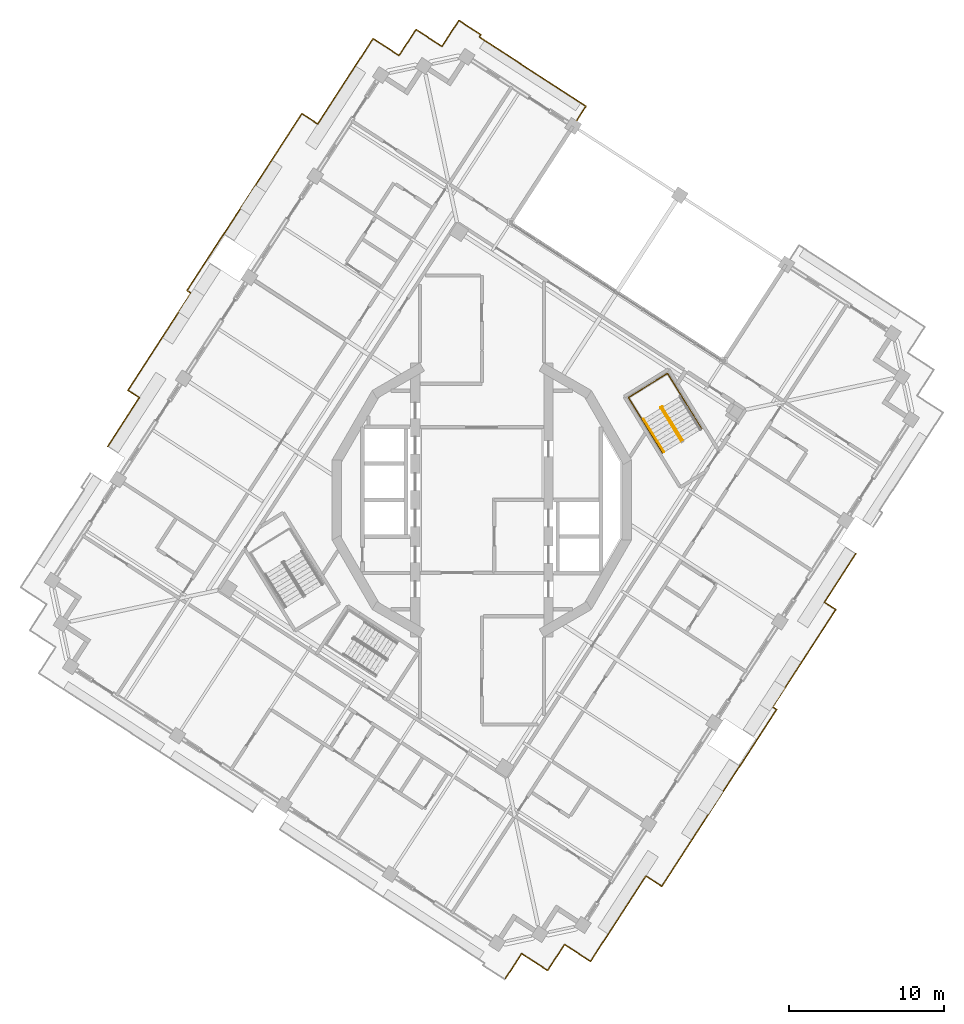
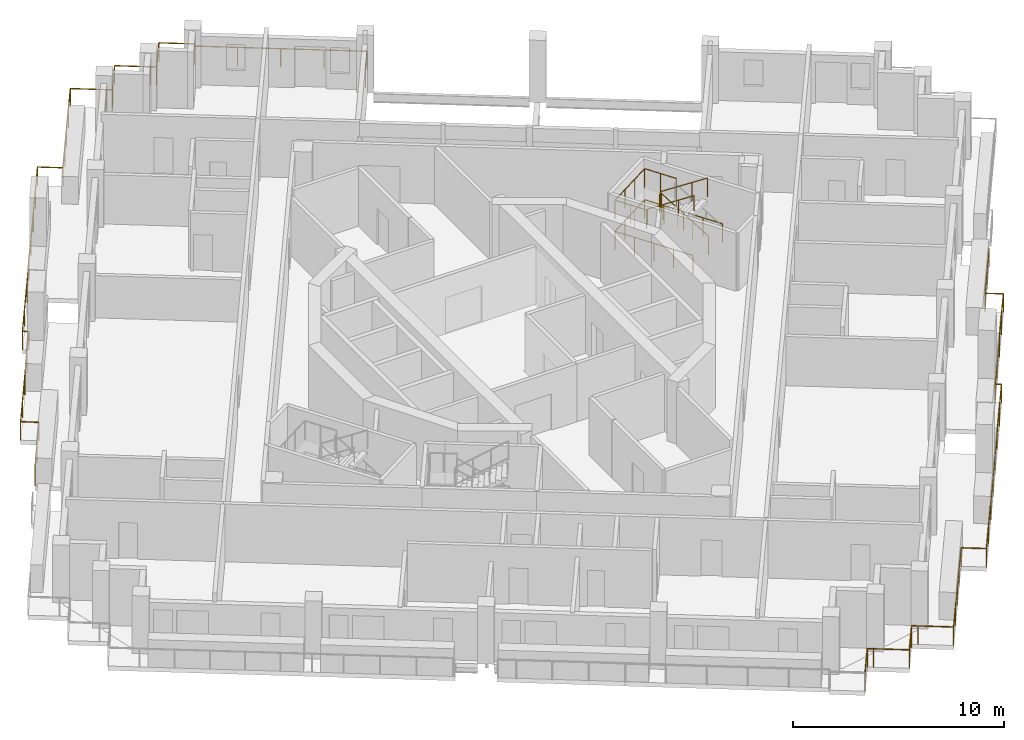
# One storey, part 15 of 17: 8 railings.
"""IFC4 building model written with IfcOpenShell, lengths in metres."""

from ifc_helpers import new_model, si_unit, direction, frame, origin, origin_2d, place, context, subcontext, project, spatial, circle, extrude, material, type_object, element, save


model = new_model("IFC4")

# Units and contexts
model_context = context("Model", 3, precision=1e-05, world=origin(), true_north=direction((0.0, 1.0)))
body_context = subcontext(model_context, "Body", "Model", "MODEL_VIEW")
ifc_project = project(units=[si_unit("LENGTHUNIT", "METRE"), si_unit("AREAUNIT", "SQUARE_METRE"), si_unit("VOLUMEUNIT", "CUBIC_METRE"), si_unit("PLANEANGLEUNIT", "RADIAN"), si_unit("MASSUNIT", "GRAM", prefix="KILO")], contexts=[model_context])

# Site, building, storey
site_placement = place(None, origin())
site = spatial("IfcSite", under=ifc_project, at=site_placement, CompositionType="ELEMENT")
building_placement = place(site_placement, origin())
building = spatial("IfcBuilding", under=site, at=building_placement, Name="Cantera Rosa Tower", CompositionType="ELEMENT")
storey_placement = place(building_placement, frame((0.0, 0.0, 279.300048828125)))
storey = spatial("IfcBuildingStorey", under=building, at=storey_placement, Name="L63", CompositionType="ELEMENT", Elevation=279.300048828125)

# Railings
ifc_material_1 = material(Name="Stainless steel and laminated glass", Category="steel")
railing_type_1 = type_object("IfcRailingType", Name="GUARD 1100", PredefinedType="BALUSTRADE", material=ifc_material_1)
railing_1_placement = place(storey_placement, frame((-5.58984375, 28.8486328125, 0.0)))
element("IfcRailing", 1, at=railing_1_placement, inside=storey, type_object=railing_type_1, Name="GUARD L63-3", PredefinedType="BALUSTRADE", context=body_context, shape_type="SweptSolid", body=[
    extrude(circle(Radius=0.030029296875, at=origin_2d()), frame((0.0, 0.0, 1.070068359375), z_axis=(0.838499355694, -0.544902588084, 0.0), x_axis=(0.544902588084, 0.838499355694, 0.0)), (0.0, 0.0, 1.0), 0.30029296875),
    extrude(circle(Radius=0.030029296875, at=origin_2d()), frame((0.251708984375, -0.16357421875, 1.070068359375), z_axis=(0.5443304008, 0.838870916629, 0.0), x_axis=(-0.838870916629, 0.5443304008, 0.0)), (0.0, 0.0, 1.0), 0.300048828125),
    extrude(circle(Radius=0.030029296875, at=origin_2d()), frame((0.4150390625, 0.088134765625, 1.070068359375), z_axis=(0.544685462014, 0.838640416073, 0.0), x_axis=(-0.838640416073, 0.544685462014, 0.0)), (0.0, 0.0, 1.0), 1.7001953125),
    extrude(circle(Radius=0.030029296875, at=origin_2d()), frame((1.341064453125, 1.513916015625, 1.070068359375), z_axis=(0.83859780397, -0.544751065329, 0.0), x_axis=(0.544751065329, 0.83859780397, 0.0)), (0.0, 0.0, 1.0), 1.699951171875),
    extrude(circle(Radius=0.030029296875, at=origin_2d()), frame((2.7666015625, 0.587890625, 1.070068359375), z_axis=(0.838870916629, -0.5443304008, 0.0), x_axis=(0.5443304008, 0.838870916629, 0.0)), (0.0, 0.0, 1.0), 0.300048828125),
    extrude(circle(Radius=0.030029296875, at=origin_2d()), frame((3.018310546875, 0.424560546875, 1.070068359375), z_axis=(0.54468796124, 0.838638792855, 0.0), x_axis=(-0.838638792855, 0.54468796124, 0.0)), (0.0, 0.0, 1.0), 2.0),
    extrude(circle(Radius=0.030029296875, at=origin_2d()), frame((4.107666015625, 2.101806640625, 1.070068359375), z_axis=(0.838663412569, -0.54465005317, 0.0), x_axis=(0.54465005317, 0.838663412569, 0.0)), (0.0, 0.0, 1.0), 1.69970703125),
    extrude(circle(Radius=0.030029296875, at=origin_2d()), frame((5.533203125, 1.176025390625, 1.070068359375), z_axis=(-0.544370967285, -0.838844592268, 0.0), x_axis=(0.838844592268, -0.544370967285, 0.0)), (0.0, 0.0, 1.0), 0.1806640625),
    extrude(circle(Radius=0.030029296875, at=origin_2d()), frame((5.434814453125, 1.0244140625, 1.070068359375), z_axis=(0.838672777751, -0.544635632198, 0.0), x_axis=(0.544635632198, 0.838672777751, 0.0)), (0.0, 0.0, 1.0), 8.2001953125),
    extrude(circle(Radius=0.030029296875, at=origin_2d()), frame((12.31201171875, -3.441650390625, 1.070068359375), z_axis=(-0.544702131331, -0.838629589344, 0.0), x_axis=(0.838629589344, -0.544702131331, 0.0)), (0.0, 0.0, 1.0), 1.499267578125),
    extrude(circle(Radius=0.02490234375, at=origin_2d()), origin(), (0.0, 0.0, 1.0), 1.0400390625),
    extrude(circle(Radius=0.02490234375, at=origin_2d()), frame((0.251708984375, -0.16357421875, 0.0)), (0.0, 0.0, 1.0), 1.0400390625),
    extrude(circle(Radius=0.02490234375, at=origin_2d()), frame((0.4150390625, 0.088134765625, 0.0)), (0.0, 0.0, 1.0), 1.0400390625),
    extrude(circle(Radius=0.02490234375, at=origin_2d()), frame((1.341064453125, 1.513916015625, 0.0)), (0.0, 0.0, 1.0), 1.0400390625),
    extrude(circle(Radius=0.02490234375, at=origin_2d()), frame((2.7666015625, 0.587890625, 0.0)), (0.0, 0.0, 1.0), 1.0400390625),
    extrude(circle(Radius=0.02490234375, at=origin_2d()), frame((3.018310546875, 0.424560546875, 0.0)), (0.0, 0.0, 1.0), 1.0400390625),
    extrude(circle(Radius=0.02490234375, at=origin_2d()), frame((4.107666015625, 2.101806640625, 0.0)), (0.0, 0.0, 1.0), 1.0400390625),
    extrude(circle(Radius=0.02490234375, at=origin_2d()), frame((5.533203125, 1.176025390625, 0.0)), (0.0, 0.0, 1.0), 1.0400390625),
    extrude(circle(Radius=0.02490234375, at=origin_2d()), frame((5.434814453125, 1.0244140625, 0.0)), (0.0, 0.0, 1.0), 1.0400390625),
    extrude(circle(Radius=0.02490234375, at=origin_2d()), frame((7.154052734375, -0.092041015625, 0.0)), (0.0, 0.0, 1.0), 1.0400390625),
    extrude(circle(Radius=0.02490234375, at=origin_2d()), frame((8.87353515625, -1.20849609375, 0.0)), (0.0, 0.0, 1.0), 1.0400390625),
    extrude(circle(Radius=0.02490234375, at=origin_2d()), frame((10.5927734375, -2.3251953125, 0.0)), (0.0, 0.0, 1.0), 1.0400390625),
    extrude(circle(Radius=0.02490234375, at=origin_2d()), frame((12.31201171875, -3.441650390625, 0.0)), (0.0, 0.0, 1.0), 1.0400390625),
    extrude(circle(Radius=0.02490234375, at=origin_2d()), frame((11.495361328125, -4.698974609375, 0.0)), (0.0, 0.0, 1.0), 1.0400390625),
])
railing_2_placement = place(storey_placement, frame((-24.13916015625, 3.46630859375, 0.0)))
element("IfcRailing", 2, at=railing_2_placement, inside=storey, type_object=railing_type_1, Name="GUARD L63-4", PredefinedType="BALUSTRADE", context=body_context, shape_type="SweptSolid", body=[
    extrude(circle(Radius=0.030029296875, at=origin_2d()), frame((0.0, 0.0, 1.070068359375), z_axis=(0.544602458439, 0.838694319918, 0.0), x_axis=(-0.838694319918, 0.544602458439, 0.0)), (0.0, 0.0, 1.0), 3.736572265625),
    extrude(circle(Radius=0.030029296875, at=origin_2d()), frame((2.034912109375, 3.1337890625, 1.070068359375), z_axis=(-0.838601924896, 0.544744721462, 0.0), x_axis=(-0.544744721462, -0.838601924896, 0.0)), (0.0, 0.0, 1.0), 0.880615234375),
    extrude(circle(Radius=0.030029296875, at=origin_2d()), frame((1.29638671875, 3.613525390625, 1.070068359375), z_axis=(0.544661219355, 0.83865616085, 0.0), x_axis=(-0.83865616085, 0.544661219355, 0.0)), (0.0, 0.0, 1.0), 7.47705078125),
    extrude(circle(Radius=0.030029296875, at=origin_2d()), frame((5.368896484375, 9.88427734375, 1.070068359375), z_axis=(-0.838682823778, 0.544620162223, 0.0), x_axis=(-0.544620162223, -0.838682823778, 0.0)), (0.0, 0.0, 1.0), 0.302978515625),
    extrude(circle(Radius=0.030029296875, at=origin_2d()), frame((5.11474609375, 10.04931640625, 1.070068359375), z_axis=(0.544652300015, 0.838661953405, 0.0), x_axis=(-0.838661953405, 0.544652300015, 0.0)), (0.0, 0.0, 1.0), 13.612548828125),
    extrude(circle(Radius=0.030029296875, at=origin_2d()), frame((12.52880859375, 21.465576171875, 1.070068359375), z_axis=(0.838691191223, -0.544607276636, 0.0), x_axis=(0.544607276636, 0.838691191223, 0.0)), (0.0, 0.0, 1.0), 1.21630859375),
    extrude(circle(Radius=0.030029296875, at=origin_2d()), frame((13.548828125, 20.80322265625, 1.070068359375), z_axis=(0.54462837007, 0.838677493745, 0.0), x_axis=(-0.838677493745, 0.54462837007, 0.0)), (0.0, 0.0, 1.0), 4.86376953125),
    extrude(circle(Radius=0.030029296875, at=origin_2d()), frame((16.19775390625, 24.88232421875, 1.070068359375), z_axis=(0.544584451758, 0.838706012202, 0.0), x_axis=(-0.838706012202, 0.544584451758, 0.0)), (0.0, 0.0, 1.0), 1.699951171875),
    extrude(circle(Radius=0.030029296875, at=origin_2d()), frame((17.12353515625, 26.30810546875, 1.070068359375), z_axis=(0.838706012202, -0.544584451758, 0.0), x_axis=(0.544584451758, 0.838706012202, 0.0)), (0.0, 0.0, 1.0), 1.699951171875),
    extrude(circle(Radius=0.02490234375, at=origin_2d()), origin(), (0.0, 0.0, 1.0), 1.0400390625),
    extrude(circle(Radius=0.02490234375, at=origin_2d()), frame((1.017578125, 1.56689453125, 0.0)), (0.0, 0.0, 1.0), 1.0400390625),
    extrude(circle(Radius=0.02490234375, at=origin_2d()), frame((2.034912109375, 3.1337890625, 0.0)), (0.0, 0.0, 1.0), 1.0400390625),
    extrude(circle(Radius=0.02490234375, at=origin_2d()), frame((1.29638671875, 3.613525390625, 0.0)), (0.0, 0.0, 1.0), 1.0400390625),
    extrude(circle(Radius=0.02490234375, at=origin_2d()), frame((2.314453125, 5.18115234375, 0.0)), (0.0, 0.0, 1.0), 1.0400390625),
    extrude(circle(Radius=0.02490234375, at=origin_2d()), frame((3.33251953125, 6.7490234375, 0.0)), (0.0, 0.0, 1.0), 1.0400390625),
    extrude(circle(Radius=0.02490234375, at=origin_2d()), frame((4.350830078125, 8.316650390625, 0.0)), (0.0, 0.0, 1.0), 1.0400390625),
    extrude(circle(Radius=0.02490234375, at=origin_2d()), frame((5.368896484375, 9.88427734375, 0.0)), (0.0, 0.0, 1.0), 1.0400390625),
    extrude(circle(Radius=0.02490234375, at=origin_2d()), frame((5.11474609375, 10.04931640625, 0.0)), (0.0, 0.0, 1.0), 1.0400390625),
    extrude(circle(Radius=0.02490234375, at=origin_2d()), frame((6.173828125, 11.68017578125, 0.0)), (0.0, 0.0, 1.0), 1.0400390625),
    extrude(circle(Radius=0.02490234375, at=origin_2d()), frame((7.233154296875, 13.31103515625, 0.0)), (0.0, 0.0, 1.0), 1.0400390625),
    extrude(circle(Radius=0.02490234375, at=origin_2d()), frame((8.292236328125, 14.94189453125, 0.0)), (0.0, 0.0, 1.0), 1.0400390625),
    extrude(circle(Radius=0.02490234375, at=origin_2d()), frame((9.351318359375, 16.572998046875, 0.0)), (0.0, 0.0, 1.0), 1.0400390625),
    extrude(circle(Radius=0.02490234375, at=origin_2d()), frame((10.410400390625, 18.203857421875, 0.0)), (0.0, 0.0, 1.0), 1.0400390625),
    extrude(circle(Radius=0.02490234375, at=origin_2d()), frame((11.4697265625, 19.834716796875, 0.0)), (0.0, 0.0, 1.0), 1.0400390625),
    extrude(circle(Radius=0.02490234375, at=origin_2d()), frame((12.52880859375, 21.465576171875, 0.0)), (0.0, 0.0, 1.0), 1.0400390625),
    extrude(circle(Radius=0.02490234375, at=origin_2d()), frame((13.548828125, 20.80322265625, 0.0)), (0.0, 0.0, 1.0), 1.0400390625),
    extrude(circle(Radius=0.02490234375, at=origin_2d()), frame((14.431884765625, 22.162841796875, 0.0)), (0.0, 0.0, 1.0), 1.0400390625),
    extrude(circle(Radius=0.02490234375, at=origin_2d()), frame((15.314697265625, 23.522705078125, 0.0)), (0.0, 0.0, 1.0), 1.0400390625),
    extrude(circle(Radius=0.02490234375, at=origin_2d()), frame((16.19775390625, 24.88232421875, 0.0)), (0.0, 0.0, 1.0), 1.0400390625),
    extrude(circle(Radius=0.02490234375, at=origin_2d()), frame((17.12353515625, 26.30810546875, 0.0)), (0.0, 0.0, 1.0), 1.0400390625),
    extrude(circle(Radius=0.02490234375, at=origin_2d()), frame((18.54931640625, 25.38232421875, 0.0)), (0.0, 0.0, 1.0), 1.0400390625),
])
railing_3_placement = place(storey_placement, frame((24.13916015625, -3.46630859375, 0.0)))
element("IfcRailing", 3, at=railing_3_placement, inside=storey, type_object=railing_type_1, Name="GUARD L63-6", PredefinedType="BALUSTRADE", context=body_context, shape_type="SweptSolid", body=[
    extrude(circle(Radius=0.030029296875, at=origin_2d()), frame((0.0, 0.0, 1.070068359375), z_axis=(-0.544602458439, -0.838694319918, 0.0), x_axis=(0.838694319918, -0.544602458439, 0.0)), (0.0, 0.0, 1.0), 3.736572265625),
    extrude(circle(Radius=0.030029296875, at=origin_2d()), frame((-2.034912109375, -3.1337890625, 1.070068359375), z_axis=(0.838601924896, -0.544744721462, 0.0), x_axis=(0.544744721462, 0.838601924896, 0.0)), (0.0, 0.0, 1.0), 0.880615234375),
    extrude(circle(Radius=0.030029296875, at=origin_2d()), frame((-1.29638671875, -3.613525390625, 1.070068359375), z_axis=(-0.544661219355, -0.83865616085, 0.0), x_axis=(0.83865616085, -0.544661219355, 0.0)), (0.0, 0.0, 1.0), 7.47705078125),
    extrude(circle(Radius=0.030029296875, at=origin_2d()), frame((-5.368896484375, -9.88427734375, 1.070068359375), z_axis=(0.838682823778, -0.544620162223, 0.0), x_axis=(0.544620162223, 0.838682823778, 0.0)), (0.0, 0.0, 1.0), 0.302978515625),
    extrude(circle(Radius=0.030029296875, at=origin_2d()), frame((-5.11474609375, -10.04931640625, 1.070068359375), z_axis=(-0.544652300015, -0.838661953405, 0.0), x_axis=(0.838661953405, -0.544652300015, 0.0)), (0.0, 0.0, 1.0), 13.612548828125),
    extrude(circle(Radius=0.030029296875, at=origin_2d()), frame((-12.52880859375, -21.465576171875, 1.070068359375), z_axis=(-0.838691191223, 0.544607276636, 0.0), x_axis=(-0.544607276636, -0.838691191223, 0.0)), (0.0, 0.0, 1.0), 1.21630859375),
    extrude(circle(Radius=0.030029296875, at=origin_2d()), frame((-13.548828125, -20.80322265625, 1.070068359375), z_axis=(-0.54462837007, -0.838677493745, 0.0), x_axis=(0.838677493745, -0.54462837007, 0.0)), (0.0, 0.0, 1.0), 4.86376953125),
    extrude(circle(Radius=0.030029296875, at=origin_2d()), frame((-16.19775390625, -24.88232421875, 1.070068359375), z_axis=(-0.544584451758, -0.838706012202, 0.0), x_axis=(0.838706012202, -0.544584451758, 0.0)), (0.0, 0.0, 1.0), 1.699951171875),
    extrude(circle(Radius=0.030029296875, at=origin_2d()), frame((-17.12353515625, -26.30810546875, 1.070068359375), z_axis=(-0.838706012202, 0.544584451758, 0.0), x_axis=(-0.544584451758, -0.838706012202, 0.0)), (0.0, 0.0, 1.0), 1.699951171875),
    extrude(circle(Radius=0.030029296875, at=origin_2d()), frame((-18.54931640625, -25.38232421875, 1.070068359375), z_axis=(-0.838499355694, 0.544902588084, 0.0), x_axis=(-0.544902588084, -0.838499355694, 0.0)), (0.0, 0.0, 1.0), 0.30029296875),
    extrude(circle(Radius=0.030029296875, at=origin_2d()), frame((-18.801025390625, -25.21875, 1.070068359375), z_axis=(-0.5443304008, -0.838870916629, 0.0), x_axis=(0.838870916629, -0.5443304008, 0.0)), (0.0, 0.0, 1.0), 0.300048828125),
    extrude(circle(Radius=0.030029296875, at=origin_2d()), frame((-18.96435546875, -25.470458984375, 1.070068359375), z_axis=(-0.544685462014, -0.838640416073, 0.0), x_axis=(0.838640416073, -0.544685462014, 0.0)), (0.0, 0.0, 1.0), 1.7001953125),
    extrude(circle(Radius=0.030029296875, at=origin_2d()), frame((-19.890380859375, -26.896240234375, 1.070068359375), z_axis=(-0.83859780397, 0.544751065329, 0.0), x_axis=(-0.544751065329, -0.83859780397, 0.0)), (0.0, 0.0, 1.0), 1.699951171875),
    extrude(circle(Radius=0.030029296875, at=origin_2d()), frame((-21.31591796875, -25.97021484375, 1.070068359375), z_axis=(-0.838870916629, 0.5443304008, 0.0), x_axis=(-0.5443304008, -0.838870916629, 0.0)), (0.0, 0.0, 1.0), 0.300048828125),
    extrude(circle(Radius=0.030029296875, at=origin_2d()), frame((-21.567626953125, -25.806884765625, 1.070068359375), z_axis=(-0.54468796124, -0.838638792855, 0.0), x_axis=(0.838638792855, -0.54468796124, 0.0)), (0.0, 0.0, 1.0), 2.0),
    extrude(circle(Radius=0.02490234375, at=origin_2d()), origin(), (0.0, 0.0, 1.0), 1.0400390625),
    extrude(circle(Radius=0.02490234375, at=origin_2d()), frame((-1.017578125, -1.56689453125, 0.0)), (0.0, 0.0, 1.0), 1.0400390625),
    extrude(circle(Radius=0.02490234375, at=origin_2d()), frame((-2.034912109375, -3.1337890625, 0.0)), (0.0, 0.0, 1.0), 1.0400390625),
    extrude(circle(Radius=0.02490234375, at=origin_2d()), frame((-1.29638671875, -3.613525390625, 0.0)), (0.0, 0.0, 1.0), 1.0400390625),
    extrude(circle(Radius=0.02490234375, at=origin_2d()), frame((-2.314453125, -5.18115234375, 0.0)), (0.0, 0.0, 1.0), 1.0400390625),
    extrude(circle(Radius=0.02490234375, at=origin_2d()), frame((-3.33251953125, -6.7490234375, 0.0)), (0.0, 0.0, 1.0), 1.0400390625),
    extrude(circle(Radius=0.02490234375, at=origin_2d()), frame((-4.350830078125, -8.316650390625, 0.0)), (0.0, 0.0, 1.0), 1.0400390625),
    extrude(circle(Radius=0.02490234375, at=origin_2d()), frame((-5.368896484375, -9.88427734375, 0.0)), (0.0, 0.0, 1.0), 1.0400390625),
    extrude(circle(Radius=0.02490234375, at=origin_2d()), frame((-5.11474609375, -10.04931640625, 0.0)), (0.0, 0.0, 1.0), 1.0400390625),
    extrude(circle(Radius=0.02490234375, at=origin_2d()), frame((-6.173828125, -11.68017578125, 0.0)), (0.0, 0.0, 1.0), 1.0400390625),
    extrude(circle(Radius=0.02490234375, at=origin_2d()), frame((-7.233154296875, -13.31103515625, 0.0)), (0.0, 0.0, 1.0), 1.0400390625),
    extrude(circle(Radius=0.02490234375, at=origin_2d()), frame((-8.292236328125, -14.94189453125, 0.0)), (0.0, 0.0, 1.0), 1.0400390625),
    extrude(circle(Radius=0.02490234375, at=origin_2d()), frame((-9.351318359375, -16.572998046875, 0.0)), (0.0, 0.0, 1.0), 1.0400390625),
    extrude(circle(Radius=0.02490234375, at=origin_2d()), frame((-10.410400390625, -18.203857421875, 0.0)), (0.0, 0.0, 1.0), 1.0400390625),
    extrude(circle(Radius=0.02490234375, at=origin_2d()), frame((-11.4697265625, -19.834716796875, 0.0)), (0.0, 0.0, 1.0), 1.0400390625),
    extrude(circle(Radius=0.02490234375, at=origin_2d()), frame((-12.52880859375, -21.465576171875, 0.0)), (0.0, 0.0, 1.0), 1.0400390625),
    extrude(circle(Radius=0.02490234375, at=origin_2d()), frame((-13.548828125, -20.80322265625, 0.0)), (0.0, 0.0, 1.0), 1.0400390625),
    extrude(circle(Radius=0.02490234375, at=origin_2d()), frame((-14.431884765625, -22.162841796875, 0.0)), (0.0, 0.0, 1.0), 1.0400390625),
    extrude(circle(Radius=0.02490234375, at=origin_2d()), frame((-15.314697265625, -23.522705078125, 0.0)), (0.0, 0.0, 1.0), 1.0400390625),
    extrude(circle(Radius=0.02490234375, at=origin_2d()), frame((-16.19775390625, -24.88232421875, 0.0)), (0.0, 0.0, 1.0), 1.0400390625),
    extrude(circle(Radius=0.02490234375, at=origin_2d()), frame((-17.12353515625, -26.30810546875, 0.0)), (0.0, 0.0, 1.0), 1.0400390625),
    extrude(circle(Radius=0.02490234375, at=origin_2d()), frame((-18.54931640625, -25.38232421875, 0.0)), (0.0, 0.0, 1.0), 1.0400390625),
    extrude(circle(Radius=0.02490234375, at=origin_2d()), frame((-18.801025390625, -25.21875, 0.0)), (0.0, 0.0, 1.0), 1.0400390625),
    extrude(circle(Radius=0.02490234375, at=origin_2d()), frame((-18.96435546875, -25.470458984375, 0.0)), (0.0, 0.0, 1.0), 1.0400390625),
    extrude(circle(Radius=0.02490234375, at=origin_2d()), frame((-19.890380859375, -26.896240234375, 0.0)), (0.0, 0.0, 1.0), 1.0400390625),
    extrude(circle(Radius=0.02490234375, at=origin_2d()), frame((-21.31591796875, -25.97021484375, 0.0)), (0.0, 0.0, 1.0), 1.0400390625),
    extrude(circle(Radius=0.02490234375, at=origin_2d()), frame((-21.567626953125, -25.806884765625, 0.0)), (0.0, 0.0, 1.0), 1.0400390625),
    extrude(circle(Radius=0.02490234375, at=origin_2d()), frame((-22.656982421875, -27.484130859375, 0.0)), (0.0, 0.0, 1.0), 1.0400390625),
])
ifc_material_2 = material(Name="Steel S355J2 (EN 10025-2)", Category="steel")
railing_type_2 = type_object("IfcRailingType", Name="STAIR GUARD 1100", PredefinedType="GUARDRAIL", material=ifc_material_2)
railing_4_placement = place(storey_placement, frame((12.9765625, 3.834228515625, 0.179931640625)))
element("IfcRailing", 4, at=railing_4_placement, inside=storey, type_object=railing_type_2, Name="L63 ST-51 stair guard 1", PredefinedType="GUARDRAIL", context=body_context, shape_type="SweptSolid", body=[
    extrude(circle(Radius=0.02392578125, at=origin_2d()), frame((0.0, 0.0, 1.076171875), z_axis=(-0.44154346381, 0.715939337315, 0.540805172729), x_axis=(-0.851145618652, -0.524929648476, 0.0)), (0.0, 0.0, 1.0), 2.995849609375),
    extrude(circle(Radius=0.02392578125, at=origin_2d()), frame((-1.32275390625, 2.144775390625, 2.6962890625), z_axis=(-0.073711968402, 0.997279572494, 0.0), x_axis=(-0.997279572494, -0.073711968402, 0.0)), (0.0, 0.0, 1.0), 0.056396484375),
    extrude(circle(Radius=0.02392578125, at=origin_2d()), frame((-1.326904296875, 2.200927734375, 2.6962890625), z_axis=(-0.851546489876, -0.524279100842, 0.0), x_axis=(0.524279100842, -0.851546489876, 0.0)), (0.0, 0.0, 1.0), 0.14990234375),
    extrude(circle(Radius=0.02099609375, at=origin_2d()), origin(), (0.0, 0.0, 1.0), 1.052001953125),
    extrude(circle(Radius=0.02099609375, at=origin_2d()), frame((-0.44091796875, 0.71484375, 0.5400390625)), (0.0, 0.0, 1.0), 1.052001953125),
    extrude(circle(Radius=0.02099609375, at=origin_2d()), frame((-0.8818359375, 1.429931640625, 1.080078125)), (0.0, 0.0, 1.0), 1.052001953125),
    extrude(circle(Radius=0.02099609375, at=origin_2d()), frame((-1.32275390625, 2.144775390625, 1.6201171875)), (0.0, 0.0, 1.0), 1.052001953125),
    extrude(circle(Radius=0.02099609375, at=origin_2d()), frame((-1.326904296875, 2.200927734375, 1.6201171875)), (0.0, 0.0, 1.0), 1.052001953125),
    extrude(circle(Radius=0.02099609375, at=origin_2d()), frame((-1.45458984375, 2.122314453125, 1.6201171875)), (0.0, 0.0, 1.0), 1.052001953125),
])
railing_5_placement = place(storey_placement, frame((11.5703125, 5.927490234375, 1.97998046875)))
element("IfcRailing", 5, at=railing_5_placement, inside=storey, type_object=railing_type_2, Name="L63 ST-51 stair guard 2", PredefinedType="GUARDRAIL", context=body_context, shape_type="SweptSolid", body=[
    extrude(circle(Radius=0.02392578125, at=origin_2d()), frame((0.0, 0.0, 1.076171875), z_axis=(0.441628529057, -0.715945124149, 0.540728047664), x_axis=(0.851102330005, 0.524999832248, 0.0)), (0.0, 0.0, 1.0), 2.99560546875),
    extrude(circle(Radius=0.02099609375, at=origin_2d()), origin(), (0.0, 0.0, 1.0), 1.052001953125),
    extrude(circle(Radius=0.02099609375, at=origin_2d()), frame((0.44091796875, -0.71484375, 0.5400390625)), (0.0, 0.0, 1.0), 1.052001953125),
    extrude(circle(Radius=0.02099609375, at=origin_2d()), frame((0.882080078125, -1.429931640625, 1.079833984375)), (0.0, 0.0, 1.0), 1.052001953125),
    extrude(circle(Radius=0.02099609375, at=origin_2d()), frame((1.322998046875, -2.144775390625, 1.619873046875)), (0.0, 0.0, 1.0), 1.052001953125),
])
railing_6_placement = place(storey_placement, frame((14.192626953125, 4.59814453125, 0.0)))
element("IfcRailing", 6, at=railing_6_placement, inside=storey, type_object=railing_type_2, Name="L63 ST-51 stair guard 4", PredefinedType="GUARDRAIL", context=body_context, shape_type="SweptSolid", body=[
    extrude(circle(Radius=0.02392578125, at=origin_2d()), frame((0.0, 0.0, 1.076171875), z_axis=(-0.524976478809, 0.851116735059, 0.0), x_axis=(-0.851116735059, -0.524976478809, 0.0)), (0.0, 0.0, 1.0), 4.197998046875),
    extrude(circle(Radius=0.02392578125, at=origin_2d()), frame((-2.203857421875, 3.572998046875, 1.076171875), z_axis=(-0.851132917336, -0.524950242429, 0.0), x_axis=(0.524950242429, -0.851132917336, 0.0)), (0.0, 0.0, 1.0), 2.969970703125),
    extrude(circle(Radius=0.02392578125, at=origin_2d()), frame((-4.731689453125, 2.013916015625, 1.076171875), z_axis=(0.524976478809, -0.851116735059, 0.0), x_axis=(0.851116735059, 0.524976478809, 0.0)), (0.0, 0.0, 1.0), 4.197998046875),
    extrude(circle(Radius=0.02099609375, at=origin_2d()), origin(), (0.0, 0.0, 1.0), 1.052001953125),
    extrude(circle(Radius=0.02099609375, at=origin_2d()), frame((-0.551025390625, 0.893310546875, 0.0)), (0.0, 0.0, 1.0), 1.052001953125),
    extrude(circle(Radius=0.02099609375, at=origin_2d()), frame((-1.10205078125, 1.78662109375, 0.0)), (0.0, 0.0, 1.0), 1.052001953125),
    extrude(circle(Radius=0.02099609375, at=origin_2d()), frame((-1.65283203125, 2.6796875, 0.0)), (0.0, 0.0, 1.0), 1.052001953125),
    extrude(circle(Radius=0.02099609375, at=origin_2d()), frame((-2.203857421875, 3.572998046875, 0.0)), (0.0, 0.0, 1.0), 1.052001953125),
    extrude(circle(Radius=0.02099609375, at=origin_2d()), frame((-3.04638671875, 3.05322265625, 0.0)), (0.0, 0.0, 1.0), 1.052001953125),
    extrude(circle(Radius=0.02099609375, at=origin_2d()), frame((-3.88916015625, 2.53369140625, 0.0)), (0.0, 0.0, 1.0), 1.052001953125),
    extrude(circle(Radius=0.02099609375, at=origin_2d()), frame((-4.731689453125, 2.013916015625, 0.0)), (0.0, 0.0, 1.0), 1.052001953125),
    extrude(circle(Radius=0.02099609375, at=origin_2d()), frame((-4.1806640625, 1.12060546875, 0.0)), (0.0, 0.0, 1.0), 1.052001953125),
    extrude(circle(Radius=0.02099609375, at=origin_2d()), frame((-3.6298828125, 0.2275390625, 0.0)), (0.0, 0.0, 1.0), 1.052001953125),
    extrude(circle(Radius=0.02099609375, at=origin_2d()), frame((-3.078857421875, -0.665771484375, 0.0)), (0.0, 0.0, 1.0), 1.052001953125),
    extrude(circle(Radius=0.02099609375, at=origin_2d()), frame((-2.52783203125, -1.55908203125, 0.0)), (0.0, 0.0, 1.0), 1.052001953125),
])
railing_7_placement = place(storey_placement, frame((12.88232421875, 6.72265625, 1.800048828125)))
element("IfcRailing", 7, at=railing_7_placement, inside=storey, type_object=railing_type_2, Name="L63 ST-51 stair guard 5", PredefinedType="GUARDRAIL", context=body_context, shape_type="SweptSolid", body=[
    extrude(circle(Radius=0.02392578125, at=origin_2d()), frame((0.0, 0.0, 1.076171875), z_axis=(-0.525025534833, 0.851086474909, 0.0), x_axis=(-0.851086474909, -0.525025534833, 0.0)), (0.0, 0.0, 1.0), 1.701904296875),
    extrude(circle(Radius=0.02392578125, at=origin_2d()), frame((-0.8935546875, 1.448486328125, 1.076171875), z_axis=(-0.851132917336, -0.524950242429, 0.0), x_axis=(0.524950242429, -0.851132917336, 0.0)), (0.0, 0.0, 1.0), 2.969970703125),
    extrude(circle(Radius=0.02392578125, at=origin_2d()), frame((-3.42138671875, -0.110595703125, 1.076171875), z_axis=(0.524961441845, -0.851126009811, 0.0), x_axis=(0.851126009811, 0.524961441845, 0.0)), (0.0, 0.0, 1.0), 1.7021484375),
    extrude(circle(Radius=0.02099609375, at=origin_2d()), origin(), (0.0, 0.0, 1.0), 1.052001953125),
    extrude(circle(Radius=0.02099609375, at=origin_2d()), frame((-0.44677734375, 0.72412109375, 0.0)), (0.0, 0.0, 1.0), 1.052001953125),
    extrude(circle(Radius=0.02099609375, at=origin_2d()), frame((-0.8935546875, 1.448486328125, 0.0)), (0.0, 0.0, 1.0), 1.052001953125),
    extrude(circle(Radius=0.02099609375, at=origin_2d()), frame((-1.736083984375, 0.9287109375, 0.0)), (0.0, 0.0, 1.0), 1.052001953125),
    extrude(circle(Radius=0.02099609375, at=origin_2d()), frame((-2.578857421875, 0.4091796875, 0.0)), (0.0, 0.0, 1.0), 1.052001953125),
    extrude(circle(Radius=0.02099609375, at=origin_2d()), frame((-3.42138671875, -0.110595703125, 0.0)), (0.0, 0.0, 1.0), 1.052001953125),
    extrude(circle(Radius=0.02099609375, at=origin_2d()), frame((-2.974609375, -0.8349609375, 0.0)), (0.0, 0.0, 1.0), 1.052001953125),
    extrude(circle(Radius=0.02099609375, at=origin_2d()), frame((-2.52783203125, -1.559326171875, 0.0)), (0.0, 0.0, 1.0), 1.052001953125),
])
ifc_material_3 = material(Name="Steel S355J2 (EN 10025-2)", Category="steel")
railing_type_3 = type_object("IfcRailingType", Name="STAIR HANDRAIL 900", PredefinedType="HANDRAIL", material=ifc_material_3)
railing_8_placement = place(storey_placement, frame((10.441650390625, 5.2314453125, 1.97998046875)))
element("IfcRailing", 8, at=railing_8_placement, inside=storey, type_object=railing_type_3, Name="L63 ST-51 stair handrail 2", PredefinedType="HANDRAIL", context=body_context, shape_type="SweptSolid", body=[
    extrude(circle(Radius=0.02392578125, at=origin_2d()), frame((0.0, 0.0, 0.8759765625), z_axis=(0.441628529057, -0.715945124149, 0.540728047664), x_axis=(0.851102330005, 0.524999832248, 0.0)), (0.0, 0.0, 1.0), 2.99560546875),
    extrude(circle(Radius=0.02099609375, at=origin_2d()), origin(), (0.0, 0.0, 1.0), 0.851806640625),
    extrude(circle(Radius=0.02099609375, at=origin_2d()), frame((0.44091796875, -0.71484375, 0.5400390625)), (0.0, 0.0, 1.0), 0.851806640625),
    extrude(circle(Radius=0.02099609375, at=origin_2d()), frame((0.882080078125, -1.429931640625, 1.079833984375)), (0.0, 0.0, 1.0), 0.851806640625),
    extrude(circle(Radius=0.02099609375, at=origin_2d()), frame((1.322998046875, -2.144775390625, 1.619873046875)), (0.0, 0.0, 1.0), 0.851806640625),
])

save(model, "model.ifc")
